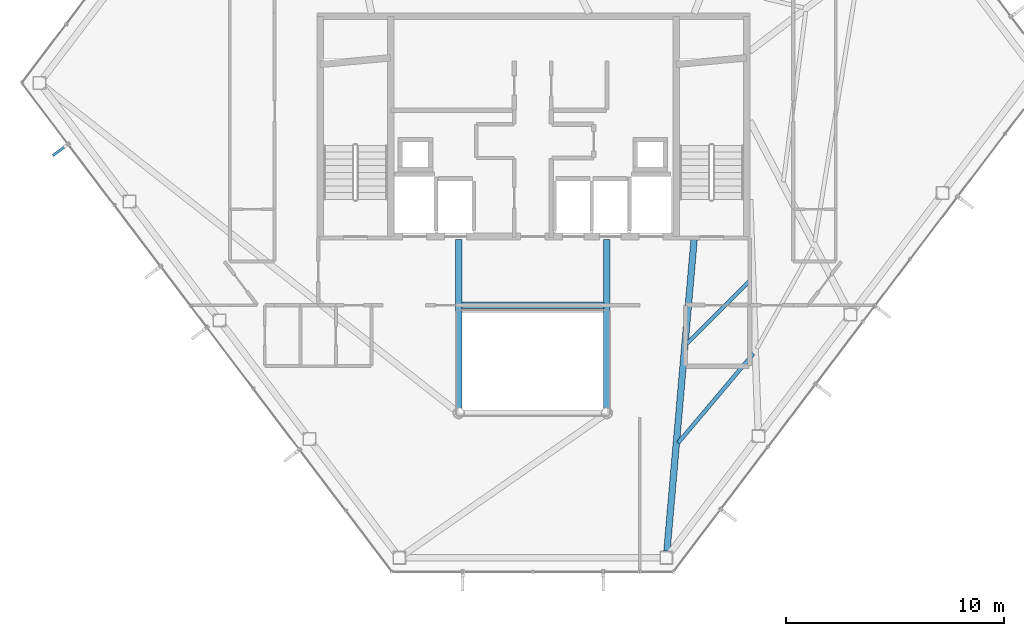
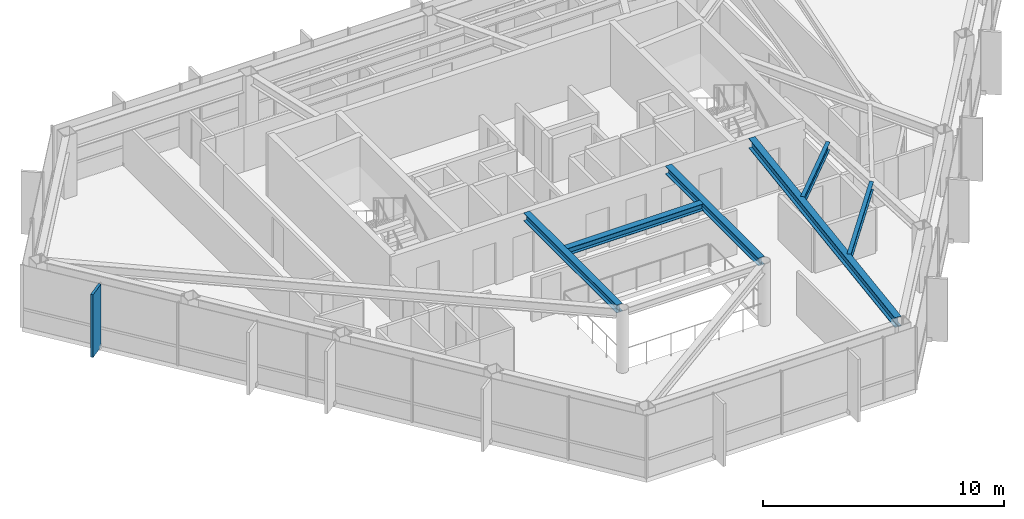
# One storey, part 8 of 25: 6 beams, 1 member, 1 element without a shape of its own.
"""IFC4 building model written with IfcOpenShell, lengths in metres."""

from ifc_helpers import new_model, si_unit, direction, frame, origin, origin_2d, place, context, subcontext, project, spatial, rectangle, i_section, extrude, material, layer, layer_set, material_profile, profile_set, type_object, element, aggregate, save


model = new_model("IFC4")

# Units and contexts
model_context = context("Model", 3, precision=1e-05, world=origin(), true_north=direction((0.0, 1.0)))
body_context = subcontext(model_context, "Body", "Model", "MODEL_VIEW")
ifc_project = project(units=[si_unit("LENGTHUNIT", "METRE"), si_unit("AREAUNIT", "SQUARE_METRE"), si_unit("VOLUMEUNIT", "CUBIC_METRE"), si_unit("PLANEANGLEUNIT", "RADIAN"), si_unit("MASSUNIT", "GRAM", prefix="KILO")], contexts=[model_context])

# Site, building, storey
site_placement = place(None, origin())
site = spatial("IfcSite", under=ifc_project, at=site_placement, CompositionType="ELEMENT")
building_placement = place(site_placement, origin())
building = spatial("IfcBuilding", under=site, at=building_placement, Name="Zarrinselat Tower", CompositionType="ELEMENT")
storey_placement = place(building_placement, frame((0.0, 0.0, 208.760009765625)))
storey = spatial("IfcBuildingStorey", under=building, at=storey_placement, Name="L51", CompositionType="ELEMENT", Elevation=208.760009765625)

# Beams
ifc_material_1 = material(Name="Steel S355J2", Category="steel")
ifc_material_profile_1 = material_profile(ifc_material_1, i_section(OverallWidth=0.300048828125, OverallDepth=0.35009765625, WebThickness=0.010009765625, FlangeThickness=0.017578125, at=origin_2d()), Name="HEA 360")
ifc_profile_set_1 = profile_set([ifc_material_profile_1], Name="Steel S355J2")
beam_type_1 = type_object("IfcBeamType", Name="BM-HEA360", PredefinedType="LINTEL", material=ifc_profile_set_1)
beam_1_placement = place(storey_placement, frame((35.139892578125, 30.14990234375, 3.0048828125), z_axis=(1.0, 0.0, 0.0), x_axis=(0.0, 1.0, 0.0)))
element("IfcBeam", 1, at=beam_1_placement, inside=storey, type_object=beam_type_1, Name="L51 Lift Lobby Ceiling Beam", PredefinedType="LINTEL", context=body_context, shape_type="SweptSolid", body=[
    extrude(i_section(OverallWidth=0.300048828125, OverallDepth=0.35009765625, WebThickness=0.010009765625, FlangeThickness=0.017578125, at=origin_2d()), origin(), (0.0, 0.0, 1.0), 6.52001953125),
])
ifc_material_2 = material(Name="Steel S355J2", Category="steel")
ifc_material_profile_2 = material_profile(ifc_material_2, i_section(OverallWidth=0.300048828125, OverallDepth=0.39990234375, WebThickness=0.013427734375, FlangeThickness=0.02392578125, at=origin_2d()), Name="HEB 400")
ifc_profile_set_2 = profile_set([ifc_material_profile_2], Name="Steel S355J2")
beam_type_2 = type_object("IfcBeamType", Name="BM-HEB400", PredefinedType="BEAM", material=ifc_profile_set_2)
for number, where, z_axis, x_axis, name in (
    (2, (35.0, 25.43994140625, 2.97998046875), (0.0, 1.0, 0.0), (-1.0, 0.0, 0.0), "L51 Atrium Edge Beam W"),
    (3, (41.800048828125, 25.43994140625, 2.97998046875), (0.0, 1.0, 0.0), (-1.0, 0.0, 0.0), "L51 Atrium Edge Beam E"),
):
    element("IfcBeam", number, at=place(storey_placement, frame(where, z_axis=z_axis, x_axis=x_axis)), inside=storey, type_object=beam_type_2, Name=name, PredefinedType="BEAM", context=body_context, shape_type="SweptSolid", body=[
        extrude(i_section(OverallWidth=0.300048828125, OverallDepth=0.39990234375, WebThickness=0.013427734375, FlangeThickness=0.02392578125, at=origin_2d()), origin(), (0.0, 0.0, 1.0), 7.719970703125),
    ])
ifc_material_3 = material(Name="Steel S355J2", Category="steel")
ifc_material_profile_3 = material_profile(ifc_material_3, i_section(OverallWidth=0.300048828125, OverallDepth=0.5, WebThickness=0.014404296875, FlangeThickness=0.028076171875, at=origin_2d()), Name="HEB 500")
ifc_profile_set_3 = profile_set([ifc_material_profile_3], Name="Steel S355J2")
beam_type_3 = type_object("IfcBeamType", Name="BM-HEB500", PredefinedType="BEAM", material=ifc_profile_set_3)
beam_2_placement = place(storey_placement, frame((44.55224609375, 18.861328125, 2.929931640625), z_axis=(0.086937161169, 0.996213797339, 0.0), x_axis=(-0.996213797339, 0.086937161169, 0.0)))
element("IfcBeam", 4, at=beam_2_placement, inside=storey, type_object=beam_type_3, Name="L51 Radial Primary Girder RG11", PredefinedType="BEAM", context=body_context, shape_type="SweptSolid", body=[
    extrude(i_section(OverallWidth=0.300048828125, OverallDepth=0.5, WebThickness=0.014404296875, FlangeThickness=0.028076171875, at=origin_2d()), origin(), (0.0, 0.0, 1.0), 14.35302734375),
])
ifc_material_4 = material(Name="Steel S355J2", Category="steel")
ifc_material_profile_4 = material_profile(ifc_material_4, i_section(OverallWidth=0.179931640625, OverallDepth=0.39990234375, WebThickness=0.008544921875, FlangeThickness=0.013427734375, at=origin_2d()), Name="IPE 400")
ifc_profile_set_4 = profile_set([ifc_material_profile_4], Name="Steel S355J2")
beam_type_4 = type_object("IfcBeamType", Name="BM-IPE400", PredefinedType="JOIST", material=ifc_profile_set_4)
beam_3_placement = place(storey_placement, frame((45.066650390625, 23.830078125, 2.97998046875), z_axis=(0.644559631843, 0.7645540406, 0.0), x_axis=(-0.7645540406, 0.644559631843, 0.0)))
element("IfcBeam", 5, at=beam_3_placement, inside=storey, type_object=beam_type_4, Name="L51 Composite Floor Joist 3-1", PredefinedType="JOIST", context=body_context, shape_type="SweptSolid", body=[
    extrude(i_section(OverallWidth=0.179931640625, OverallDepth=0.39990234375, WebThickness=0.008544921875, FlangeThickness=0.013427734375, at=origin_2d()), origin(), (0.0, 0.0, 1.0), 5.35498046875),
])
beam_4_placement = place(storey_placement, frame((45.474609375, 28.3974609375, 2.97998046875), z_axis=(0.706632292649, 0.707580951542, 0.0), x_axis=(-0.707580951542, 0.706632292649, 0.0)))
element("IfcBeam", 6, at=beam_4_placement, inside=storey, type_object=beam_type_4, Name="L51 Composite Floor Joist 3-2", PredefinedType="JOIST", context=body_context, shape_type="SweptSolid", body=[
    extrude(i_section(OverallWidth=0.179931640625, OverallDepth=0.39990234375, WebThickness=0.008544921875, FlangeThickness=0.013427734375, at=origin_2d()), origin(), (0.0, 0.0, 1.0), 4.11767578125),
])

# Curtain wall, member
ifc_material_5 = material(Name="Extruded Aluminium Alloy EN AW-6063 T6", Category="aluminium")
ifc_layer = layer(ifc_material_5, 0.169921875)
ifc_layer_set = layer_set([ifc_layer], Name="Extruded Aluminium Alloy EN AW-6063 T6")
curtain_wall_type = type_object("IfcCurtainWallType", Name="CWS-RES", PredefinedType="NOTDEFINED", material=ifc_layer_set)
curtain_wall_placement = place(storey_placement, origin())
curtain_wall = element("IfcCurtainWall", 7, at=curtain_wall_placement, inside=storey, type_object=curtain_wall_type, Name="L51 Unitised Curtain Wall CW-L51-E03", PredefinedType="NOTDEFINED")
ifc_material_6 = material(Name="Honed Cream Travertine Stone", Category="masonry")
ifc_material_profile_5 = material_profile(ifc_material_6, rectangle(XDim=0.1201171875, YDim=0.85009765625, at=origin_2d()), Name="FIN 850x120")
ifc_profile_set_5 = profile_set([ifc_material_profile_5], Name="Honed Cream Travertine Stone")
member_type = type_object("IfcMemberType", Name="MEM-STONE-FIN", PredefinedType="USERDEFINED", material=ifc_profile_set_5)
member_placement = place(storey_placement, frame((16.711669921875, 37.2646484375, 0.0), z_axis=(0.0, 0.0, 1.0), x_axis=(-0.603858850791, 0.797091267247, 0.0)))
member = element("IfcMember", 8, at=member_placement, type_object=member_type, Name="L51 Stone Shading Fin CW-L51-E03-01", ObjectType="FIN", PredefinedType="USERDEFINED", context=body_context, shape_type="SweptSolid", body=[
    extrude(rectangle(XDim=0.1201171875, YDim=0.85009765625, at=origin_2d()), origin(), (0.0, 0.0, 1.0), 3.179931640625),
])
aggregate(curtain_wall, [member])

save(model, "model.ifc")
